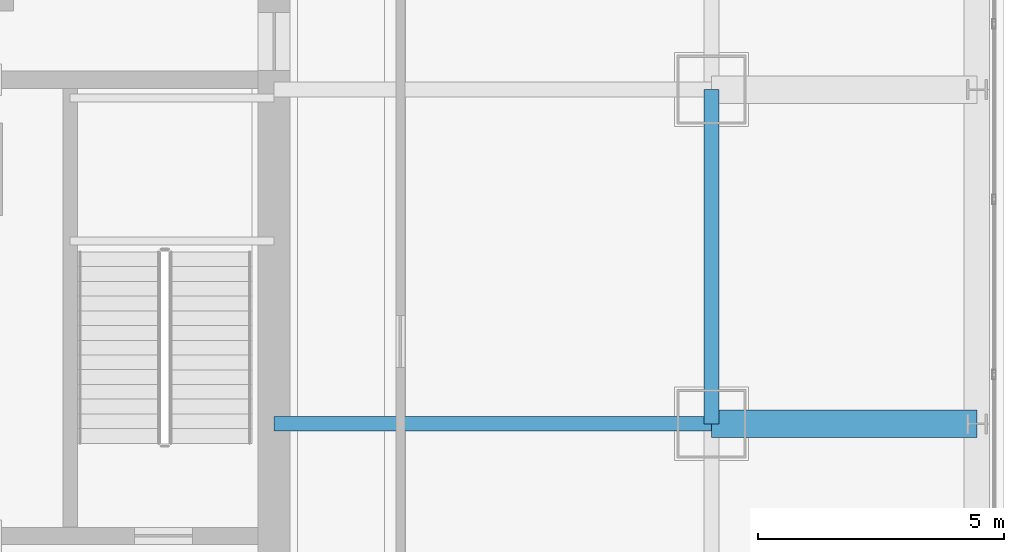
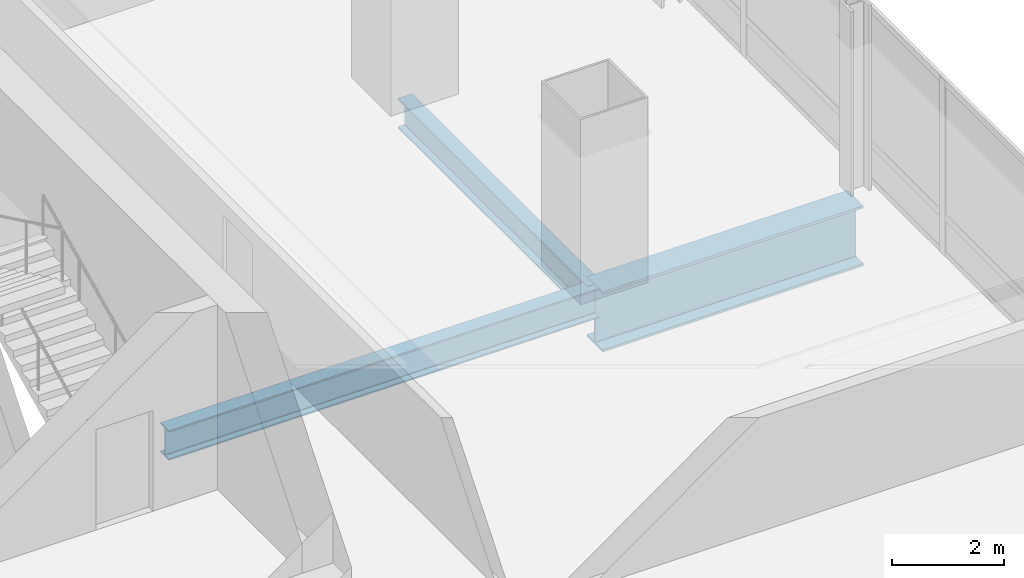
# One storey, part 16 of 35: 3 beams.
"""IFC4 building model written with IfcOpenShell, lengths in metres."""

from ifc_helpers import new_model, si_unit, direction, frame, origin, origin_2d, place, context, subcontext, project, spatial, i_section, extrude, material, material_profile, profile_set, type_object, element, save


model = new_model("IFC4")

# Units and contexts
model_context = context("Model", 3, precision=1e-05, world=origin(), true_north=direction((0.0, 1.0)))
body_context = subcontext(model_context, "Body", "Model", "MODEL_VIEW")
ifc_project = project(units=[si_unit("LENGTHUNIT", "METRE"), si_unit("AREAUNIT", "SQUARE_METRE"), si_unit("VOLUMEUNIT", "CUBIC_METRE"), si_unit("PLANEANGLEUNIT", "RADIAN"), si_unit("MASSUNIT", "GRAM", prefix="KILO")], contexts=[model_context])

# Site, building, storey
site_placement = place(None, origin())
site = spatial("IfcSite", under=ifc_project, at=site_placement, CompositionType="ELEMENT")
building_placement = place(site_placement, origin())
building = spatial("IfcBuilding", under=site, at=building_placement, Name="Punatoya Terracotta Tower", CompositionType="ELEMENT")
storey_placement = place(building_placement, frame((0.0, 0.0, 216.75)))
storey = spatial("IfcBuildingStorey", under=building, at=storey_placement, Name="L51", CompositionType="ELEMENT", Elevation=216.75)

# Beams
ifc_material_1 = material(Name="Steel S355", Category="steel")
ifc_material_profile_1 = material_profile(ifc_material_1, i_section(OverallWidth=0.300048828125, OverallDepth=0.64990234375, WebThickness=0.01611328125, FlangeThickness=0.031005859375, FilletRadius=0.01806640625, at=origin_2d()))
ifc_profile_set_1 = profile_set([ifc_material_profile_1], Name="Steel S355")
beam_type_1 = type_object("IfcBeamType", Name="BM-PRI-650", PredefinedType="BEAM", material=ifc_profile_set_1)
beam_1_placement = place(storey_placement, frame((19.10009765625, -3.39990234375, -0.544921875), z_axis=(0.0, 1.0, 0.0), x_axis=(-1.0, 0.0, 0.0)))
element("IfcBeam", 1, at=beam_1_placement, inside=storey, type_object=beam_type_1, Name="BM-L51-RG-E2", PredefinedType="BEAM", context=body_context, shape_type="SweptSolid", body=[
    extrude(i_section(OverallWidth=0.300048828125, OverallDepth=0.64990234375, WebThickness=0.01611328125, FlangeThickness=0.031005859375, FilletRadius=0.01806640625, at=origin_2d()), origin(), (0.0, 0.0, 1.0), 6.7998046875),
])
beam_2_placement = place(storey_placement, frame((10.199951171875, -3.39990234375, -0.544921875), z_axis=(1.0, 0.0, 0.0), x_axis=(0.0, 1.0, 0.0)))
element("IfcBeam", 2, at=beam_2_placement, inside=storey, type_object=beam_type_1, Name="BM-L51-PR-ED", PredefinedType="BEAM", context=body_context, shape_type="SweptSolid", body=[
    extrude(i_section(OverallWidth=0.300048828125, OverallDepth=0.64990234375, WebThickness=0.01611328125, FlangeThickness=0.031005859375, FilletRadius=0.01806640625, at=origin_2d()), origin(), (0.0, 0.0, 1.0), 8.900146484375),
])
ifc_material_2 = material(Name="Steel S460", Category="steel")
ifc_material_profile_2 = material_profile(ifc_material_2, i_section(OverallWidth=0.56005859375, OverallDepth=1.320068359375, WebThickness=0.035888671875, FlangeThickness=0.054931640625, FilletRadius=0.01806640625, at=origin_2d()))
ifc_profile_set_2 = profile_set([ifc_material_profile_2], Name="Steel S460")
beam_type_2 = type_object("IfcBeamType", Name="BM-TG-BLK", PredefinedType="BEAM", material=ifc_profile_set_2)
beam_3_placement = place(storey_placement, frame((19.10009765625, -3.39990234375, -0.8798828125), z_axis=(1.0, 0.0, 0.0), x_axis=(0.0, 1.0, 0.0)))
element("IfcBeam", 3, at=beam_3_placement, inside=storey, type_object=beam_type_2, Name="BM-L51-CANT-E2", PredefinedType="BEAM", context=body_context, shape_type="SweptSolid", body=[
    extrude(i_section(OverallWidth=0.56005859375, OverallDepth=1.320068359375, WebThickness=0.035888671875, FlangeThickness=0.054931640625, FilletRadius=0.01806640625, at=origin_2d()), origin(), (0.0, 0.0, 1.0), 5.39990234375),
])

save(model, "model.ifc")
